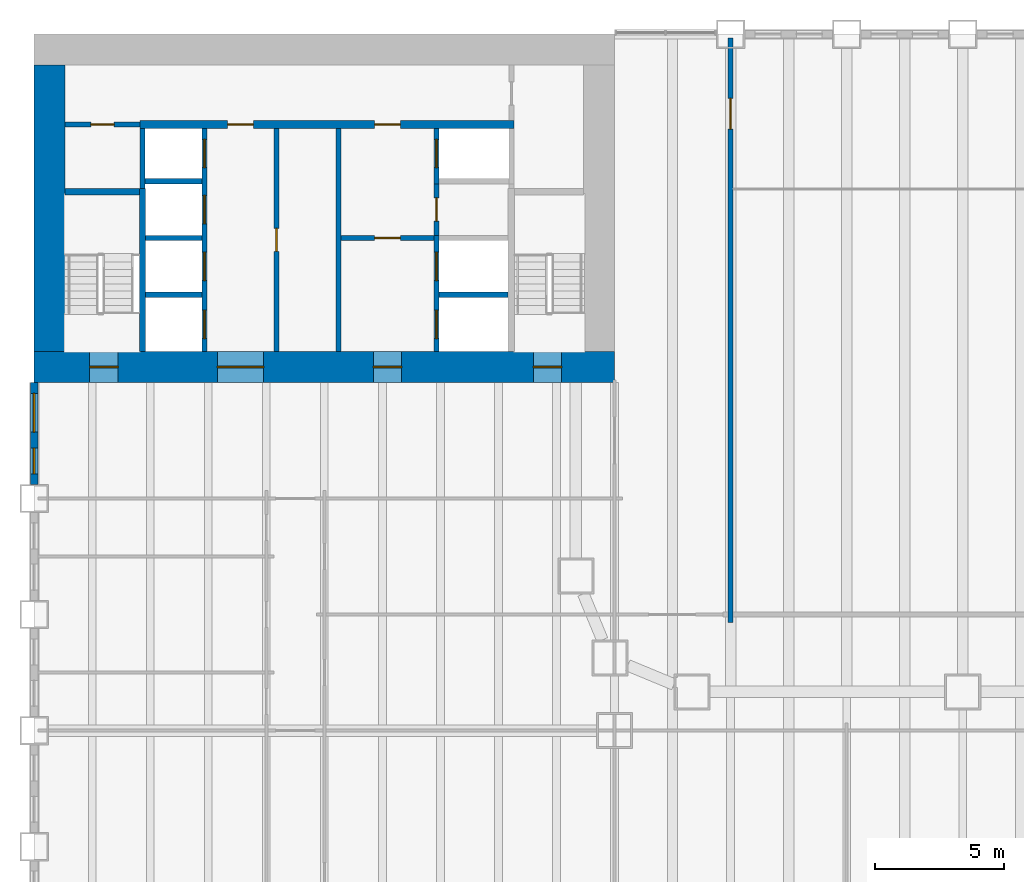
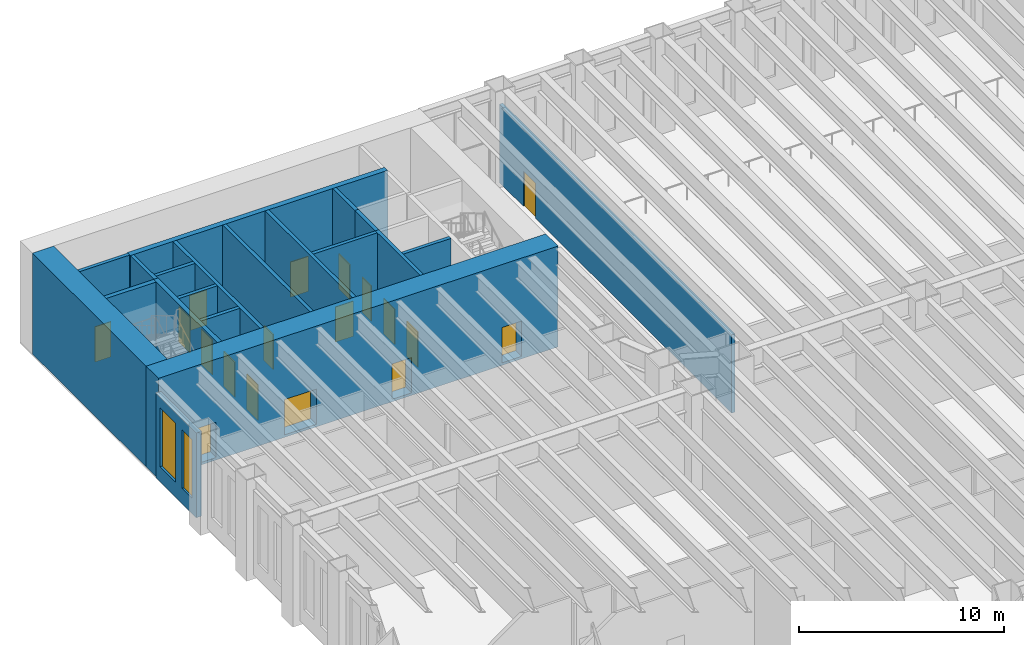
# One storey, part 11 of 19: 20 walls, 18 doors, 2 windows, 20 openings.
"""IFC4 building model written with IfcOpenShell, lengths in metres."""

from ifc_helpers import new_model, si_unit, direction, frame, frame_2d, origin, place, context, subcontext, project, spatial, rectangle, extrude, material, layer, layer_set, type_object, element, fill, save


model = new_model("IFC4")

# Units and contexts
model_context = context("Model", 3, precision=1e-05, world=origin(), true_north=direction((0.0, 1.0)))
body_context = subcontext(model_context, "Body", "Model", "MODEL_VIEW")
ifc_project = project(units=[si_unit("LENGTHUNIT", "METRE"), si_unit("AREAUNIT", "SQUARE_METRE"), si_unit("VOLUMEUNIT", "CUBIC_METRE"), si_unit("PLANEANGLEUNIT", "RADIAN"), si_unit("MASSUNIT", "GRAM", prefix="KILO")], contexts=[model_context])

# Site, building, storey
site_placement = place(None, origin())
site = spatial("IfcSite", under=ifc_project, at=site_placement, CompositionType="ELEMENT")
building_placement = place(site_placement, origin())
building = spatial("IfcBuilding", under=site, at=building_placement, Name="Sennacour Bend Tower", CompositionType="ELEMENT")
storey_placement = place(building_placement, frame((0.0, 0.0, 8.0)))
storey = spatial("IfcBuildingStorey", under=building, at=storey_placement, Name="L01", CompositionType="ELEMENT", Elevation=8.0)

# Wall, openings, doors
ifc_material_1 = material(Name="Concrete C80/95", Category="concrete")
ifc_layer_1 = layer(ifc_material_1, 1.199951171875, Name="Concrete C80/95", Category="concrete")
ifc_layer_set_1 = layer_set([ifc_layer_1], Name="Concrete C80/95")
wall_type_1 = type_object("IfcWallType", Name="Core wall 1200 C80/95", PredefinedType="SHEAR", material=ifc_layer_set_1)
wall_1_placement = place(storey_placement, frame((0.0, 36.60009765625, -0.14990234375), z_axis=(0.0, 0.0, 1.0), x_axis=(1.0, 0.0, 0.0)))
wall_1 = element("IfcWall", 1, at=wall_1_placement, inside=storey, type_object=wall_type_1, Name="Core B wall L01 S", PredefinedType="SHEAR", context=body_context, shape_type="SweptSolid", body=[
    extrude(rectangle(XDim=22.5, YDim=1.199951171875, at=frame_2d((11.25, 0.0))), origin(), (0.0, 0.0, 1.0), 6.0),
])
opening_1_placement = place(wall_1_placement, frame((7.10009765625, 0.0, 0.14990234375)))
opening_1 = element("IfcOpeningElement", 2, at=opening_1_placement, cuts=wall_1, Name="Opening CD", PredefinedType="OPENING", context=body_context, shape_type="SweptSolid", body=[
    extrude(rectangle(XDim=1.800048828125, YDim=2.10009765625, at=frame_2d((0.89990234375, 1.050048828125))), frame((0.0, 0.60986328125, 0.0), z_axis=(0.0, -1.0, 0.0), x_axis=(1.0, 0.0, 0.0)), (0.0, 0.0, 1.0), 1.219970703125),
])
opening_2_placement = place(wall_1_placement, frame((13.14990234375, 0.0, 0.14990234375)))
opening_2 = element("IfcOpeningElement", 3, at=opening_2_placement, cuts=wall_1, Name="Opening FD", PredefinedType="OPENING", context=body_context, shape_type="SweptSolid", body=[
    extrude(rectangle(XDim=1.10009765625, YDim=2.10009765625, at=frame_2d((0.550048828125, 1.050048828125))), frame((0.0, 0.60986328125, 0.0), z_axis=(0.0, -1.0, 0.0), x_axis=(1.0, 0.0, 0.0)), (0.0, 0.0, 1.0), 1.219970703125),
])
opening_3_placement = place(wall_1_placement, frame((2.14990234375, 0.0, 0.14990234375)))
opening_3 = element("IfcOpeningElement", 4, at=opening_3_placement, cuts=wall_1, Name="Opening SD", PredefinedType="OPENING", context=body_context, shape_type="SweptSolid", body=[
    extrude(rectangle(XDim=1.10009765625, YDim=2.10009765625, at=frame_2d((0.550048828125, 1.050048828125))), frame((0.0, 0.60986328125, 0.0), z_axis=(0.0, -1.0, 0.0), x_axis=(1.0, 0.0, 0.0)), (0.0, 0.0, 1.0), 1.219970703125),
])
opening_4_placement = place(wall_1_placement, frame((19.35009765625, 0.0, 0.14990234375)))
opening_4 = element("IfcOpeningElement", 5, at=opening_4_placement, cuts=wall_1, Name="Opening SD", PredefinedType="OPENING", context=body_context, shape_type="SweptSolid", body=[
    extrude(rectangle(XDim=1.10009765625, YDim=2.10009765625, at=frame_2d((0.550048828125, 1.050048828125))), frame((0.0, 0.60986328125, 0.0), z_axis=(0.0, -1.0, 0.0), x_axis=(1.0, 0.0, 0.0)), (0.0, 0.0, 1.0), 1.219970703125),
])
ifc_material_2 = material(Name="Painted steel", Category="steel")
door_type_1 = type_object("IfcDoorType", Name="DR-FFL-1100", OperationType="NOTDEFINED", PredefinedType="DOOR", material=ifc_material_2)
door_1_placement = place(opening_2_placement, origin())
door_1 = element("IfcDoor", 6, at=door_1_placement, inside=storey, type_object=door_type_1, Name="Door", OperationType="SINGLE_SWING_RIGHT", OverallHeight=2.10009765625, OverallWidth=1.10009765625, PredefinedType="DOOR", context=body_context, shape_type="SweptSolid", body=[
    extrude(rectangle(XDim=1.10009765625, YDim=2.10009765625, at=frame_2d((0.550048828125, 1.050048828125))), frame((0.0, 0.02490234375, 0.0), z_axis=(0.0, -1.0, 0.0), x_axis=(1.0, 0.0, 0.0)), (0.0, 0.0, 1.0), 0.050048828125),
])
fill(opening_2, door_1)
door_type_2 = type_object("IfcDoorType", Name="DR-LOBBY-1800", OperationType="NOTDEFINED", PredefinedType="DOOR", material=ifc_material_2)
door_2_placement = place(opening_1_placement, origin())
door_2 = element("IfcDoor", 7, at=door_2_placement, inside=storey, type_object=door_type_2, Name="Door", OperationType="DOUBLE_DOOR_SINGLE_SWING", OverallHeight=2.10009765625, OverallWidth=1.800048828125, PredefinedType="DOOR", context=body_context, shape_type="SweptSolid", body=[
    extrude(rectangle(XDim=1.800048828125, YDim=2.10009765625, at=frame_2d((0.89990234375, 1.050048828125))), frame((0.0, 0.02490234375, 0.0), z_axis=(0.0, -1.0, 0.0), x_axis=(1.0, 0.0, 0.0)), (0.0, 0.0, 1.0), 0.050048828125),
])
fill(opening_1, door_2)
door_type_3 = type_object("IfcDoorType", Name="DR-STAIR-1100", OperationType="NOTDEFINED", PredefinedType="DOOR", material=ifc_material_2)
door_3_placement = place(opening_3_placement, origin())
door_3 = element("IfcDoor", 8, at=door_3_placement, inside=storey, type_object=door_type_3, Name="Door", OperationType="SINGLE_SWING_LEFT", OverallHeight=2.10009765625, OverallWidth=1.10009765625, PredefinedType="DOOR", context=body_context, shape_type="SweptSolid", body=[
    extrude(rectangle(XDim=1.10009765625, YDim=2.10009765625, at=frame_2d((0.550048828125, 1.050048828125))), frame((0.0, 0.02490234375, 0.0), z_axis=(0.0, -1.0, 0.0), x_axis=(1.0, 0.0, 0.0)), (0.0, 0.0, 1.0), 0.050048828125),
])
fill(opening_3, door_3)
door_4_placement = place(opening_4_placement, origin())
door_4 = element("IfcDoor", 9, at=door_4_placement, inside=storey, type_object=door_type_3, Name="Door", OperationType="SINGLE_SWING_RIGHT", OverallHeight=2.10009765625, OverallWidth=1.10009765625, PredefinedType="DOOR", context=body_context, shape_type="SweptSolid", body=[
    extrude(rectangle(XDim=1.10009765625, YDim=2.10009765625, at=frame_2d((0.550048828125, 1.050048828125))), frame((0.0, 0.02490234375, 0.0), z_axis=(0.0, -1.0, 0.0), x_axis=(1.0, 0.0, 0.0)), (0.0, 0.0, 1.0), 0.050048828125),
])
fill(opening_4, door_4)

# Wall
wall_2_placement = place(storey_placement, frame((0.60009765625, 37.199951171875, -0.14990234375), z_axis=(0.0, 0.0, 1.0), x_axis=(0.0, 1.0, 0.0)))
element("IfcWall", 10, at=wall_2_placement, inside=storey, type_object=wall_type_1, Name="Core B wall L01 W", PredefinedType="SHEAR", context=body_context, shape_type="SweptSolid", body=[
    extrude(rectangle(XDim=11.10009765625, YDim=1.199951171875, at=frame_2d((5.550048828125, 0.0))), origin(), (0.0, 0.0, 1.0), 6.0),
])

# Wall, opening, door
ifc_material_3 = material(Name="Fire-rated plasterboard partition on steel studs", Category="steel")
ifc_layer_2 = layer(ifc_material_3, 0.199951171875, Name="Fire-rated plasterboard partition on steel studs", Category="steel")
ifc_layer_set_2 = layer_set([ifc_layer_2], Name="Fire-rated plasterboard partition on steel studs")
wall_type_2 = type_object("IfcWallType", Name="Rated partition 200", PredefinedType="PARTITIONING", material=ifc_layer_set_2)
wall_3_placement = place(storey_placement, frame((9.39990234375, 37.199951171875, 0.0), z_axis=(0.0, 0.0, 1.0), x_axis=(0.0, 1.0, 0.0)))
wall_3 = element("IfcWall", 11, at=wall_3_placement, inside=storey, type_object=wall_type_2, Name="P-L01-W010", PredefinedType="PARTITIONING", context=body_context, shape_type="SweptSolid", body=[
    extrude(rectangle(XDim=8.650146484375, YDim=0.199951171875, at=frame_2d((4.3251953125, 0.0))), origin(), (0.0, 0.0, 1.0), 5.75),
])
opening_5_placement = place(wall_3_placement, frame((3.875, 0.0, 0.0)))
opening_5 = element("IfcOpeningElement", 12, at=opening_5_placement, cuts=wall_3, Name="Opening SV", PredefinedType="OPENING", context=body_context, shape_type="SweptSolid", body=[
    extrude(rectangle(XDim=0.89990234375, YDim=2.10009765625, at=frame_2d((0.449951171875, 1.050048828125))), frame((0.0, 0.10986328125, 0.0), z_axis=(0.0, -1.0, 0.0), x_axis=(1.0, 0.0, 0.0)), (0.0, 0.0, 1.0), 0.219970703125),
])
door_type_4 = type_object("IfcDoorType", Name="DR-SERVICE-900", OperationType="NOTDEFINED", PredefinedType="DOOR", material=ifc_material_2)
door_5_placement = place(opening_5_placement, origin())
door_5 = element("IfcDoor", 13, at=door_5_placement, inside=storey, type_object=door_type_4, Name="Door", OperationType="SINGLE_SWING_LEFT", OverallHeight=2.10009765625, OverallWidth=0.89990234375, PredefinedType="DOOR", context=body_context, shape_type="SweptSolid", body=[
    extrude(rectangle(XDim=0.89990234375, YDim=2.10009765625, at=frame_2d((0.449951171875, 1.050048828125))), frame((0.0, 0.02490234375, 0.0), z_axis=(0.0, -1.0, 0.0), x_axis=(1.0, 0.0, 0.0)), (0.0, 0.0, 1.0), 0.050048828125),
])
fill(opening_5, door_5)

# Wall
wall_4_placement = place(storey_placement, frame((11.800048828125, 37.199951171875, 0.0), z_axis=(0.0, 0.0, 1.0), x_axis=(0.0, 1.0, 0.0)))
element("IfcWall", 14, at=wall_4_placement, inside=storey, type_object=wall_type_2, Name="P-L01-W012", PredefinedType="PARTITIONING", context=body_context, shape_type="SweptSolid", body=[
    extrude(rectangle(XDim=8.650146484375, YDim=0.199951171875, at=frame_2d((4.3251953125, 0.0))), origin(), (0.0, 0.0, 1.0), 5.75),
])

# Wall, opening, door
wall_5_placement = place(storey_placement, frame((15.60009765625, 41.699951171875, 0.0), z_axis=(0.0, 0.0, 1.0), x_axis=(0.0, 1.0, 0.0)))
wall_5 = element("IfcWall", 15, at=wall_5_placement, inside=storey, type_object=wall_type_2, Name="P-L01-W014", PredefinedType="PARTITIONING", context=body_context, shape_type="SweptSolid", body=[
    extrude(rectangle(XDim=2.0, YDim=0.199951171875, at=frame_2d((1.0, 0.0))), origin(), (0.0, 0.0, 1.0), 5.75),
])
opening_6_placement = place(wall_5_placement, frame((0.550048828125, 0.0, 0.0)))
opening_6 = element("IfcOpeningElement", 16, at=opening_6_placement, cuts=wall_5, Name="Opening SV", PredefinedType="OPENING", context=body_context, shape_type="SweptSolid", body=[
    extrude(rectangle(XDim=0.89990234375, YDim=2.10009765625, at=frame_2d((0.449951171875, 1.050048828125))), frame((0.0, 0.10986328125, 0.0), z_axis=(0.0, -1.0, 0.0), x_axis=(1.0, 0.0, 0.0)), (0.0, 0.0, 1.0), 0.219970703125),
])
door_6_placement = place(opening_6_placement, origin())
door_6 = element("IfcDoor", 17, at=door_6_placement, inside=storey, type_object=door_type_4, Name="Door", OperationType="SINGLE_SWING_RIGHT", OverallHeight=2.10009765625, OverallWidth=0.89990234375, PredefinedType="DOOR", context=body_context, shape_type="SweptSolid", body=[
    extrude(rectangle(XDim=0.89990234375, YDim=2.10009765625, at=frame_2d((0.449951171875, 1.050048828125))), frame((0.0, 0.02490234375, 0.0), z_axis=(0.0, -1.0, 0.0), x_axis=(1.0, 0.0, 0.0)), (0.0, 0.0, 1.0), 0.050048828125),
])
fill(opening_6, door_6)

wall_6_placement = place(storey_placement, frame((27.0, 26.699951171875, 0.0), z_axis=(0.0, 0.0, 1.0), x_axis=(0.0, 1.0, 0.0)))
wall_6 = element("IfcWall", 18, at=wall_6_placement, inside=storey, type_object=wall_type_2, Name="P-L01-W022a", PredefinedType="PARTITIONING", context=body_context, shape_type="SweptSolid", body=[
    extrude(rectangle(XDim=22.650146484375, YDim=0.199951171875, at=frame_2d((11.3251953125, 0.0))), origin(), (0.0, 0.0, 1.0), 4.66015625),
])
opening_7_placement = place(wall_6_placement, frame((19.114990234375, 0.0, 0.0)))
opening_7 = element("IfcOpeningElement", 19, at=opening_7_placement, cuts=wall_6, Name="Opening CD3", PredefinedType="OPENING", context=body_context, shape_type="SweptSolid", body=[
    extrude(rectangle(XDim=1.199951171875, YDim=2.10009765625, at=frame_2d((0.60009765625, 1.050048828125))), frame((0.0, 0.10986328125, 0.0), z_axis=(0.0, -1.0, 0.0), x_axis=(1.0, 0.0, 0.0)), (0.0, 0.0, 1.0), 0.219970703125),
])
door_type_5 = type_object("IfcDoorType", Name="DR-LOBBY-1200", OperationType="NOTDEFINED", PredefinedType="DOOR", material=ifc_material_2)
door_7_placement = place(opening_7_placement, origin())
door_7 = element("IfcDoor", 20, at=door_7_placement, inside=storey, type_object=door_type_5, Name="Door", OperationType="SINGLE_SWING_RIGHT", OverallHeight=2.10009765625, OverallWidth=1.199951171875, PredefinedType="DOOR", context=body_context, shape_type="SweptSolid", body=[
    extrude(rectangle(XDim=1.199951171875, YDim=2.10009765625, at=frame_2d((0.60009765625, 1.050048828125))), frame((0.0, 0.02490234375, 0.0), z_axis=(0.0, -1.0, 0.0), x_axis=(1.0, 0.0, 0.0)), (0.0, 0.0, 1.0), 0.050048828125),
])
fill(opening_7, door_7)

wall_7_placement = place(storey_placement, frame((1.199951171875, 46.0, 0.0), z_axis=(0.0, 0.0, 1.0), x_axis=(1.0, 0.0, 0.0)))
wall_7 = element("IfcWall", 21, at=wall_7_placement, inside=storey, type_object=wall_type_2, Name="P-L01-W079", PredefinedType="PARTITIONING", context=body_context, shape_type="SweptSolid", body=[
    extrude(rectangle(XDim=2.900146484375, YDim=0.199951171875, at=frame_2d((1.4501953125, 0.0))), origin(), (0.0, 0.0, 1.0), 5.75),
])
opening_8_placement = place(wall_7_placement, frame((1.0, 0.0, 0.0)))
opening_8 = element("IfcOpeningElement", 22, at=opening_8_placement, cuts=wall_7, Name="Opening SV", PredefinedType="OPENING", context=body_context, shape_type="SweptSolid", body=[
    extrude(rectangle(XDim=0.89990234375, YDim=2.10009765625, at=frame_2d((0.449951171875, 1.050048828125))), frame((0.0, 0.10986328125, 0.0), z_axis=(0.0, -1.0, 0.0), x_axis=(1.0, 0.0, 0.0)), (0.0, 0.0, 1.0), 0.219970703125),
])
door_8_placement = place(opening_8_placement, origin())
door_8 = element("IfcDoor", 23, at=door_8_placement, inside=storey, type_object=door_type_4, Name="Door", OperationType="SINGLE_SWING_LEFT", OverallHeight=2.10009765625, OverallWidth=0.89990234375, PredefinedType="DOOR", context=body_context, shape_type="SweptSolid", body=[
    extrude(rectangle(XDim=0.89990234375, YDim=2.10009765625, at=frame_2d((0.449951171875, 1.050048828125))), frame((0.0, 0.02490234375, 0.0), z_axis=(0.0, -1.0, 0.0), x_axis=(1.0, 0.0, 0.0)), (0.0, 0.0, 1.0), 0.050048828125),
])
fill(opening_8, door_8)

ifc_layer_3 = layer(ifc_material_3, 0.199951171875, Name="Fire-rated plasterboard partition on steel studs", Category="steel")
ifc_layer_set_3 = layer_set([ifc_layer_3], Name="Fire-rated plasterboard partition on steel studs")
wall_type_3 = type_object("IfcWallType", Name="Rated partition 200 EI 90", PredefinedType="PARTITIONING", material=ifc_layer_set_3)
wall_8_placement = place(storey_placement, frame((11.89990234375, 41.60009765625, 0.0), z_axis=(0.0, 0.0, 1.0), x_axis=(1.0, 0.0, 0.0)))
wall_8 = element("IfcWall", 24, at=wall_8_placement, inside=storey, type_object=wall_type_3, Name="P-L01-W073", PredefinedType="PARTITIONING", context=body_context, shape_type="SweptSolid", body=[
    extrude(rectangle(XDim=3.60009765625, YDim=0.199951171875, at=frame_2d((1.800048828125, 0.0))), origin(), (0.0, 0.0, 1.0), 5.75),
])
opening_9_placement = place(wall_8_placement, frame((1.300048828125, 0.0, 0.0)))
opening_9 = element("IfcOpeningElement", 25, at=opening_9_placement, cuts=wall_8, Name="Opening FD2", PredefinedType="OPENING", context=body_context, shape_type="SweptSolid", body=[
    extrude(rectangle(XDim=1.0, YDim=2.10009765625, at=frame_2d((0.5, 1.050048828125))), frame((0.0, 0.10986328125, 0.0), z_axis=(0.0, -1.0, 0.0), x_axis=(1.0, 0.0, 0.0)), (0.0, 0.0, 1.0), 0.219970703125),
])
door_type_6 = type_object("IfcDoorType", Name="DR-FFL-1000", OperationType="NOTDEFINED", PredefinedType="DOOR", material=ifc_material_2)
door_9_placement = place(opening_9_placement, origin())
door_9 = element("IfcDoor", 26, at=door_9_placement, inside=storey, type_object=door_type_6, Name="Door", OperationType="SINGLE_SWING_LEFT", OverallHeight=2.10009765625, OverallWidth=1.0, PredefinedType="DOOR", context=body_context, shape_type="SweptSolid", body=[
    extrude(rectangle(XDim=1.0, YDim=2.10009765625, at=frame_2d((0.5, 1.050048828125))), frame((0.0, 0.02490234375, 0.0), z_axis=(0.0, -1.0, 0.0), x_axis=(1.0, 0.0, 0.0)), (0.0, 0.0, 1.0), 0.050048828125),
])
fill(opening_9, door_9)

# Wall, openings, windows
ifc_material_4 = material(Name="Warm limestone cladding", Category="masonry")
ifc_layer_4 = layer(ifc_material_4, 0.050048828125, Name="Warm limestone cladding", Category="masonry")
ifc_material_5 = material(Name="Precast concrete C40/50", Category="concrete")
ifc_layer_5 = layer(ifc_material_5, 0.25, Name="Precast concrete C40/50", Category="concrete")
ifc_layer_set_4 = layer_set([ifc_layer_4, ifc_layer_5], Name="Precast concrete C40/50 with limestone cladding")
wall_type_4 = type_object("IfcWallType", Name="STONE-CLAD PRECAST SPANDREL 300", PredefinedType="STANDARD", material=ifc_layer_set_4)
wall_9_placement = place(storey_placement, frame((0.0, 35.9990234375, 0.0), z_axis=(0.0, 0.0, 1.0), x_axis=(0.0, -1.0, 0.0)))
wall_9 = element("IfcWall", 27, at=wall_9_placement, inside=storey, type_object=wall_type_4, Name="Stone spandrel and pier wall L01 02.00", PredefinedType="STANDARD", context=body_context, shape_type="SweptSolid", body=[
    extrude(rectangle(XDim=3.948974609375, YDim=0.300048828125, at=frame_2d((1.974609375, 0.0))), origin(), (0.0, 0.0, 1.0), 5.035888671875),
])
opening_10_placement = place(wall_9_placement, frame((0.424560546875, 0.0, 0.89990234375)))
opening_10 = element("IfcOpeningElement", 28, at=opening_10_placement, cuts=wall_9, Name="Opening W2", PredefinedType="OPENING", context=body_context, shape_type="SweptSolid", body=[
    extrude(rectangle(XDim=1.5, YDim=3.5, at=frame_2d((0.75, 1.75))), frame((0.0, 0.16015625, 0.0), z_axis=(0.0, -1.0, 0.0), x_axis=(1.0, 0.0, 0.0)), (0.0, 0.0, 1.0), 0.320068359375),
])
opening_11_placement = place(wall_9_placement, frame((2.549072265625, 0.0, 0.89990234375)))
opening_11 = element("IfcOpeningElement", 29, at=opening_11_placement, cuts=wall_9, Name="Opening W1", PredefinedType="OPENING", context=body_context, shape_type="SweptSolid", body=[
    extrude(rectangle(XDim=1.0, YDim=3.5, at=frame_2d((0.5, 1.75))), frame((0.0, 0.16015625, 0.0), z_axis=(0.0, -1.0, 0.0), x_axis=(1.0, 0.0, 0.0)), (0.0, 0.0, 1.0), 0.320068359375),
])
ifc_material_6 = material(Name="Clear low-emissivity glass", Category="glass")
window_type_1 = type_object("IfcWindowType", Name="WIN-RIBBON-1000x3500", PartitioningType="SINGLE_PANEL", PredefinedType="WINDOW", material=ifc_material_6)
window_1_placement = place(opening_11_placement, origin())
window_1 = element("IfcWindow", 30, at=window_1_placement, inside=storey, type_object=window_type_1, Name="Ribbon window L01 02.00.1", OverallHeight=3.5, OverallWidth=1.0, PartitioningType="SINGLE_PANEL", PredefinedType="WINDOW", context=body_context, shape_type="SweptSolid", body=[
    extrude(rectangle(XDim=1.0, YDim=3.5, at=frame_2d((0.5, 1.75))), frame((0.0, 0.030029296875, 0.0), z_axis=(0.0, -1.0, 0.0), x_axis=(1.0, 0.0, 0.0)), (0.0, 0.0, 1.0), 0.06005859375),
])
fill(opening_11, window_1)
window_type_2 = type_object("IfcWindowType", Name="WIN-RIBBON-1500x3500", PartitioningType="SINGLE_PANEL", PredefinedType="WINDOW", material=ifc_material_6)
window_2_placement = place(opening_10_placement, origin())
window_2 = element("IfcWindow", 31, at=window_2_placement, inside=storey, type_object=window_type_2, Name="Ribbon window L01 02.00.0", OverallHeight=3.5, OverallWidth=1.5, PartitioningType="SINGLE_PANEL", PredefinedType="WINDOW", context=body_context, shape_type="SweptSolid", body=[
    extrude(rectangle(XDim=1.5, YDim=3.5, at=frame_2d((0.75, 1.75))), frame((0.0, 0.030029296875, 0.0), z_axis=(0.0, -1.0, 0.0), x_axis=(1.0, 0.0, 0.0)), (0.0, 0.0, 1.0), 0.06005859375),
])
fill(opening_10, window_2)

# Wall
ifc_material_7 = material(Name="Concrete C50/60", Category="concrete")
ifc_layer_6 = layer(ifc_material_7, 0.199951171875, Name="Concrete C50/60", Category="concrete")
ifc_layer_set_5 = layer_set([ifc_layer_6], Name="Concrete C50/60")
wall_type_5 = type_object("IfcWallType", Name="Shaft wall 200", PredefinedType="SOLIDWALL", material=ifc_layer_set_5)
wall_10_placement = place(storey_placement, frame((4.199951171875, 43.52490234375, 0.0), z_axis=(0.0, 0.0, 1.0), x_axis=(0.0, 1.0, 0.0)))
element("IfcWall", 32, at=wall_10_placement, inside=storey, type_object=wall_type_5, Name="P-L01-W004", PredefinedType="SOLIDWALL", context=body_context, shape_type="SweptSolid", body=[
    extrude(rectangle(XDim=2.3251953125, YDim=0.199951171875, at=frame_2d((1.16259765625, 0.0))), origin(), (0.0, 0.0, 1.0), 5.75),
])

# Wall, openings, doors
wall_11_placement = place(storey_placement, frame((6.60009765625, 37.199951171875, 0.0), z_axis=(0.0, 0.0, 1.0), x_axis=(0.0, 1.0, 0.0)))
wall_11 = element("IfcWall", 33, at=wall_11_placement, inside=storey, type_object=wall_type_5, Name="P-L01-W005", PredefinedType="SOLIDWALL", context=body_context, shape_type="SweptSolid", body=[
    extrude(rectangle(XDim=8.650146484375, YDim=0.199951171875, at=frame_2d((4.3251953125, 0.0))), origin(), (0.0, 0.0, 1.0), 5.75),
])
opening_12_placement = place(wall_11_placement, frame((0.5, 0.0, 0.011962890625)))
opening_12 = element("IfcOpeningElement", 34, at=opening_12_placement, cuts=wall_11, Name="Opening LD", PredefinedType="OPENING", context=body_context, shape_type="SweptSolid", body=[
    extrude(rectangle(XDim=1.10009765625, YDim=2.10009765625, at=frame_2d((0.550048828125, 1.050048828125))), frame((0.0, 0.10986328125, 0.0), z_axis=(0.0, -1.0, 0.0), x_axis=(1.0, 0.0, 0.0)), (0.0, 0.0, 1.0), 0.219970703125),
])
opening_13_placement = place(wall_11_placement, frame((2.75, 0.0, 0.011962890625)))
opening_13 = element("IfcOpeningElement", 35, at=opening_13_placement, cuts=wall_11, Name="Opening LD", PredefinedType="OPENING", context=body_context, shape_type="SweptSolid", body=[
    extrude(rectangle(XDim=1.10009765625, YDim=2.10009765625, at=frame_2d((0.550048828125, 1.050048828125))), frame((0.0, 0.10986328125, 0.0), z_axis=(0.0, -1.0, 0.0), x_axis=(1.0, 0.0, 0.0)), (0.0, 0.0, 1.0), 0.219970703125),
])
opening_14_placement = place(wall_11_placement, frame((4.949951171875, 0.0, 0.011962890625)))
opening_14 = element("IfcOpeningElement", 36, at=opening_14_placement, cuts=wall_11, Name="Opening LD", PredefinedType="OPENING", context=body_context, shape_type="SweptSolid", body=[
    extrude(rectangle(XDim=1.10009765625, YDim=2.10009765625, at=frame_2d((0.550048828125, 1.050048828125))), frame((0.0, 0.10986328125, 0.0), z_axis=(0.0, -1.0, 0.0), x_axis=(1.0, 0.0, 0.0)), (0.0, 0.0, 1.0), 0.219970703125),
])
opening_15_placement = place(wall_11_placement, frame((7.125, 0.0, 0.011962890625)))
opening_15 = element("IfcOpeningElement", 37, at=opening_15_placement, cuts=wall_11, Name="Opening LD", PredefinedType="OPENING", context=body_context, shape_type="SweptSolid", body=[
    extrude(rectangle(XDim=1.10009765625, YDim=2.10009765625, at=frame_2d((0.550048828125, 1.050048828125))), frame((0.0, 0.10986328125, 0.0), z_axis=(0.0, -1.0, 0.0), x_axis=(1.0, 0.0, 0.0)), (0.0, 0.0, 1.0), 0.219970703125),
])
ifc_material_8 = material(Name="Stainless steel", Category="steel")
door_type_7 = type_object("IfcDoorType", Name="DR-LANDING-1100", OperationType="NOTDEFINED", PredefinedType="DOOR", material=ifc_material_8)
door_10_placement = place(opening_12_placement, origin())
door_10 = element("IfcDoor", 38, at=door_10_placement, inside=storey, type_object=door_type_7, Name="Lift landing door LB1", OperationType="SLIDING_TO_LEFT", OverallHeight=2.10009765625, OverallWidth=1.10009765625, PredefinedType="DOOR", context=body_context, shape_type="SweptSolid", body=[
    extrude(rectangle(XDim=1.10009765625, YDim=2.10009765625, at=frame_2d((0.550048828125, 1.050048828125))), frame((0.0, 0.02490234375, 0.0), z_axis=(0.0, -1.0, 0.0), x_axis=(1.0, 0.0, 0.0)), (0.0, 0.0, 1.0), 0.050048828125),
])
fill(opening_12, door_10)
door_11_placement = place(opening_13_placement, origin())
door_11 = element("IfcDoor", 39, at=door_11_placement, inside=storey, type_object=door_type_7, Name="Lift landing door LB2", OperationType="SLIDING_TO_RIGHT", OverallHeight=2.10009765625, OverallWidth=1.10009765625, PredefinedType="DOOR", context=body_context, shape_type="SweptSolid", body=[
    extrude(rectangle(XDim=1.10009765625, YDim=2.10009765625, at=frame_2d((0.550048828125, 1.050048828125))), frame((0.0, 0.02490234375, 0.0), z_axis=(0.0, -1.0, 0.0), x_axis=(1.0, 0.0, 0.0)), (0.0, 0.0, 1.0), 0.050048828125),
])
fill(opening_13, door_11)
door_12_placement = place(opening_14_placement, origin())
door_12 = element("IfcDoor", 40, at=door_12_placement, inside=storey, type_object=door_type_7, Name="Lift landing door LB3", OperationType="SLIDING_TO_LEFT", OverallHeight=2.10009765625, OverallWidth=1.10009765625, PredefinedType="DOOR", context=body_context, shape_type="SweptSolid", body=[
    extrude(rectangle(XDim=1.10009765625, YDim=2.10009765625, at=frame_2d((0.550048828125, 1.050048828125))), frame((0.0, 0.02490234375, 0.0), z_axis=(0.0, -1.0, 0.0), x_axis=(1.0, 0.0, 0.0)), (0.0, 0.0, 1.0), 0.050048828125),
])
fill(opening_14, door_12)
door_13_placement = place(opening_15_placement, origin())
door_13 = element("IfcDoor", 41, at=door_13_placement, inside=storey, type_object=door_type_7, Name="Lift landing door LB4", OperationType="SLIDING_TO_RIGHT", OverallHeight=2.10009765625, OverallWidth=1.10009765625, PredefinedType="DOOR", context=body_context, shape_type="SweptSolid", body=[
    extrude(rectangle(XDim=1.10009765625, YDim=2.10009765625, at=frame_2d((0.550048828125, 1.050048828125))), frame((0.0, 0.02490234375, 0.0), z_axis=(0.0, -1.0, 0.0), x_axis=(1.0, 0.0, 0.0)), (0.0, 0.0, 1.0), 0.050048828125),
])
fill(opening_15, door_13)

wall_12_placement = place(storey_placement, frame((15.60009765625, 37.199951171875, 0.0), z_axis=(0.0, 0.0, 1.0), x_axis=(0.0, 1.0, 0.0)))
wall_12 = element("IfcWall", 42, at=wall_12_placement, inside=storey, type_object=wall_type_5, Name="P-L01-W013", PredefinedType="SOLIDWALL", context=body_context, shape_type="SweptSolid", body=[
    extrude(rectangle(XDim=4.5, YDim=0.199951171875, at=frame_2d((2.25, 0.0))), origin(), (0.0, 0.0, 1.0), 5.75),
])
opening_16_placement = place(wall_12_placement, frame((0.5, 0.0, 0.011962890625)))
opening_16 = element("IfcOpeningElement", 43, at=opening_16_placement, cuts=wall_12, Name="Opening FLD", PredefinedType="OPENING", context=body_context, shape_type="SweptSolid", body=[
    extrude(rectangle(XDim=1.10009765625, YDim=2.10009765625, at=frame_2d((0.550048828125, 1.050048828125))), frame((0.0, 0.10986328125, 0.0), z_axis=(0.0, -1.0, 0.0), x_axis=(1.0, 0.0, 0.0)), (0.0, 0.0, 1.0), 0.219970703125),
])
opening_17_placement = place(wall_12_placement, frame((2.75, 0.0, 0.011962890625)))
opening_17 = element("IfcOpeningElement", 44, at=opening_17_placement, cuts=wall_12, Name="Opening FLD", PredefinedType="OPENING", context=body_context, shape_type="SweptSolid", body=[
    extrude(rectangle(XDim=1.10009765625, YDim=2.10009765625, at=frame_2d((0.550048828125, 1.050048828125))), frame((0.0, 0.10986328125, 0.0), z_axis=(0.0, -1.0, 0.0), x_axis=(1.0, 0.0, 0.0)), (0.0, 0.0, 1.0), 0.219970703125),
])
door_type_8 = type_object("IfcDoorType", Name="DR-FF-LANDING-1100", OperationType="NOTDEFINED", PredefinedType="DOOR", material=ifc_material_8)
door_14_placement = place(opening_16_placement, origin())
door_14 = element("IfcDoor", 45, at=door_14_placement, inside=storey, type_object=door_type_8, Name="Fire service lift landing door FB1", OperationType="SLIDING_TO_LEFT", OverallHeight=2.10009765625, OverallWidth=1.10009765625, PredefinedType="DOOR", context=body_context, shape_type="SweptSolid", body=[
    extrude(rectangle(XDim=1.10009765625, YDim=2.10009765625, at=frame_2d((0.550048828125, 1.050048828125))), frame((0.0, 0.02490234375, 0.0), z_axis=(0.0, -1.0, 0.0), x_axis=(1.0, 0.0, 0.0)), (0.0, 0.0, 1.0), 0.050048828125),
])
fill(opening_16, door_14)
door_15_placement = place(opening_17_placement, origin())
door_15 = element("IfcDoor", 46, at=door_15_placement, inside=storey, type_object=door_type_8, Name="Fire service lift landing door FB2", OperationType="SLIDING_TO_RIGHT", OverallHeight=2.10009765625, OverallWidth=1.10009765625, PredefinedType="DOOR", context=body_context, shape_type="SweptSolid", body=[
    extrude(rectangle(XDim=1.10009765625, YDim=2.10009765625, at=frame_2d((0.550048828125, 1.050048828125))), frame((0.0, 0.02490234375, 0.0), z_axis=(0.0, -1.0, 0.0), x_axis=(1.0, 0.0, 0.0)), (0.0, 0.0, 1.0), 0.050048828125),
])
fill(opening_17, door_15)

# Wall, opening, door
wall_13_placement = place(storey_placement, frame((15.60009765625, 43.699951171875, 0.0), z_axis=(0.0, 0.0, 1.0), x_axis=(0.0, 1.0, 0.0)))
wall_13 = element("IfcWall", 47, at=wall_13_placement, inside=storey, type_object=wall_type_5, Name="P-L01-W015", PredefinedType="SOLIDWALL", context=body_context, shape_type="SweptSolid", body=[
    extrude(rectangle(XDim=2.150146484375, YDim=0.199951171875, at=frame_2d((1.0751953125, 0.0))), origin(), (0.0, 0.0, 1.0), 5.75),
])
opening_18_placement = place(wall_13_placement, frame((0.625, 0.0, 0.011962890625)))
opening_18 = element("IfcOpeningElement", 48, at=opening_18_placement, cuts=wall_13, Name="Opening LD", PredefinedType="OPENING", context=body_context, shape_type="SweptSolid", body=[
    extrude(rectangle(XDim=1.10009765625, YDim=2.10009765625, at=frame_2d((0.550048828125, 1.050048828125))), frame((0.0, 0.10986328125, 0.0), z_axis=(0.0, -1.0, 0.0), x_axis=(1.0, 0.0, 0.0)), (0.0, 0.0, 1.0), 0.219970703125),
])
door_16_placement = place(opening_18_placement, origin())
door_16 = element("IfcDoor", 49, at=door_16_placement, inside=storey, type_object=door_type_7, Name="Lift landing door LB5", OperationType="SLIDING_TO_LEFT", OverallHeight=2.10009765625, OverallWidth=1.10009765625, PredefinedType="DOOR", context=body_context, shape_type="SweptSolid", body=[
    extrude(rectangle(XDim=1.10009765625, YDim=2.10009765625, at=frame_2d((0.550048828125, 1.050048828125))), frame((0.0, 0.02490234375, 0.0), z_axis=(0.0, -1.0, 0.0), x_axis=(1.0, 0.0, 0.0)), (0.0, 0.0, 1.0), 0.050048828125),
])
fill(opening_18, door_16)

# Walls
wall_14_placement = place(storey_placement, frame((4.324951171875, 39.39990234375, 0.0), z_axis=(0.0, 0.0, 1.0), x_axis=(1.0, 0.0, 0.0)))
element("IfcWall", 50, at=wall_14_placement, inside=storey, type_object=wall_type_5, Name="P-L01-W069", PredefinedType="SOLIDWALL", context=body_context, shape_type="SweptSolid", body=[
    extrude(rectangle(XDim=2.175048828125, YDim=0.199951171875, at=frame_2d((1.08740234375, 0.0))), origin(), (0.0, 0.0, 1.0), 5.75),
])
wall_15_placement = place(storey_placement, frame((15.699951171875, 39.39990234375, 0.0), z_axis=(0.0, 0.0, 1.0), x_axis=(1.0, 0.0, 0.0)))
element("IfcWall", 51, at=wall_15_placement, inside=storey, type_object=wall_type_5, Name="P-L01-W070", PredefinedType="SOLIDWALL", context=body_context, shape_type="SweptSolid", body=[
    extrude(rectangle(XDim=2.675048828125, YDim=0.199951171875, at=frame_2d((1.33740234375, 0.0))), origin(), (0.0, 0.0, 1.0), 5.75),
])
wall_16_placement = place(storey_placement, frame((4.324951171875, 41.60009765625, 0.0), z_axis=(0.0, 0.0, 1.0), x_axis=(1.0, 0.0, 0.0)))
element("IfcWall", 52, at=wall_16_placement, inside=storey, type_object=wall_type_5, Name="P-L01-W072", PredefinedType="SOLIDWALL", context=body_context, shape_type="SweptSolid", body=[
    extrude(rectangle(XDim=2.175048828125, YDim=0.199951171875, at=frame_2d((1.08740234375, 0.0))), origin(), (0.0, 0.0, 1.0), 5.75),
])
wall_17_placement = place(storey_placement, frame((4.300048828125, 43.800048828125, 0.0), z_axis=(0.0, 0.0, 1.0), x_axis=(1.0, 0.0, 0.0)))
element("IfcWall", 53, at=wall_17_placement, inside=storey, type_object=wall_type_5, Name="P-L01-W077", PredefinedType="SOLIDWALL", context=body_context, shape_type="SweptSolid", body=[
    extrude(rectangle(XDim=2.199951171875, YDim=0.199951171875, at=frame_2d((1.10009765625, 0.0))), origin(), (0.0, 0.0, 1.0), 5.75),
])

# Wall, openings, doors
ifc_material_9 = material(Name="Concrete C60/75", Category="concrete")
ifc_layer_7 = layer(ifc_material_9, 0.300048828125, Name="Concrete C60/75", Category="concrete")
ifc_layer_set_6 = layer_set([ifc_layer_7], Name="Concrete C60/75")
wall_type_6 = type_object("IfcWallType", Name="Spine wall 300", PredefinedType="SHEAR", material=ifc_layer_set_6)
wall_18_placement = place(storey_placement, frame((4.10009765625, 46.0, 0.0), z_axis=(0.0, 0.0, 1.0), x_axis=(1.0, 0.0, 0.0)))
wall_18 = element("IfcWall", 54, at=wall_18_placement, inside=storey, type_object=wall_type_6, Name="P-L01-W080", PredefinedType="SHEAR", context=body_context, shape_type="SweptSolid", body=[
    extrude(rectangle(XDim=14.5, YDim=0.300048828125, at=frame_2d((7.25, 0.0))), origin(), (0.0, 0.0, 1.0), 5.75),
])
opening_19_placement = place(wall_18_placement, frame((3.39990234375, 0.0, 0.0)))
opening_19 = element("IfcOpeningElement", 55, at=opening_19_placement, cuts=wall_18, Name="Opening CD2", PredefinedType="OPENING", context=body_context, shape_type="SweptSolid", body=[
    extrude(rectangle(XDim=1.0, YDim=2.10009765625, at=frame_2d((0.5, 1.050048828125))), frame((0.0, 0.16015625, 0.0), z_axis=(0.0, -1.0, 0.0), x_axis=(1.0, 0.0, 0.0)), (0.0, 0.0, 1.0), 0.320068359375),
])
opening_20_placement = place(wall_18_placement, frame((9.099853515625, 0.0, 0.0)))
opening_20 = element("IfcOpeningElement", 56, at=opening_20_placement, cuts=wall_18, Name="Opening CD2", PredefinedType="OPENING", context=body_context, shape_type="SweptSolid", body=[
    extrude(rectangle(XDim=1.0, YDim=2.10009765625, at=frame_2d((0.5, 1.050048828125))), frame((0.0, 0.16015625, 0.0), z_axis=(0.0, -1.0, 0.0), x_axis=(1.0, 0.0, 0.0)), (0.0, 0.0, 1.0), 0.320068359375),
])
door_type_9 = type_object("IfcDoorType", Name="DR-LOBBY-1000", OperationType="NOTDEFINED", PredefinedType="DOOR", material=ifc_material_2)
door_17_placement = place(opening_19_placement, origin())
door_17 = element("IfcDoor", 57, at=door_17_placement, inside=storey, type_object=door_type_9, Name="Door", OperationType="SINGLE_SWING_LEFT", OverallHeight=2.10009765625, OverallWidth=1.0, PredefinedType="DOOR", context=body_context, shape_type="SweptSolid", body=[
    extrude(rectangle(XDim=1.0, YDim=2.10009765625, at=frame_2d((0.5, 1.050048828125))), frame((0.0, 0.02490234375, 0.0), z_axis=(0.0, -1.0, 0.0), x_axis=(1.0, 0.0, 0.0)), (0.0, 0.0, 1.0), 0.050048828125),
])
fill(opening_19, door_17)
door_18_placement = place(opening_20_placement, origin())
door_18 = element("IfcDoor", 58, at=door_18_placement, inside=storey, type_object=door_type_9, Name="Door", OperationType="SINGLE_SWING_RIGHT", OverallHeight=2.10009765625, OverallWidth=1.0, PredefinedType="DOOR", context=body_context, shape_type="SweptSolid", body=[
    extrude(rectangle(XDim=1.0, YDim=2.10009765625, at=frame_2d((0.5, 1.050048828125))), frame((0.0, 0.02490234375, 0.0), z_axis=(0.0, -1.0, 0.0), x_axis=(1.0, 0.0, 0.0)), (0.0, 0.0, 1.0), 0.050048828125),
])
fill(opening_20, door_18)

# Walls
ifc_layer_8 = layer(ifc_material_9, 0.25, Name="Concrete C60/75", Category="concrete")
ifc_layer_set_7 = layer_set([ifc_layer_8], Name="Concrete C60/75")
wall_type_7 = type_object("IfcWallType", Name="Stair wall 250", PredefinedType="SHEAR", material=ifc_layer_set_7)
wall_19_placement = place(storey_placement, frame((4.199951171875, 37.199951171875, 0.0), z_axis=(0.0, 0.0, 1.0), x_axis=(0.0, 1.0, 0.0)))
element("IfcWall", 59, at=wall_19_placement, inside=storey, type_object=wall_type_7, Name="P-L01-W003", PredefinedType="SHEAR", context=body_context, shape_type="SweptSolid", body=[
    extrude(rectangle(XDim=6.324951171875, YDim=0.25, at=frame_2d((3.16259765625, 0.0))), origin(), (0.0, 0.0, 1.0), 5.75),
])
wall_20_placement = place(storey_placement, frame((1.199951171875, 43.39990234375, 0.0), z_axis=(0.0, 0.0, 1.0), x_axis=(1.0, 0.0, 0.0)))
element("IfcWall", 60, at=wall_20_placement, inside=storey, type_object=wall_type_7, Name="P-L01-W075", PredefinedType="SHEAR", context=body_context, shape_type="SweptSolid", body=[
    extrude(rectangle(XDim=2.875, YDim=0.25, at=frame_2d((1.4375, 0.0))), origin(), (0.0, 0.0, 1.0), 5.75),
])

save(model, "model.ifc")
